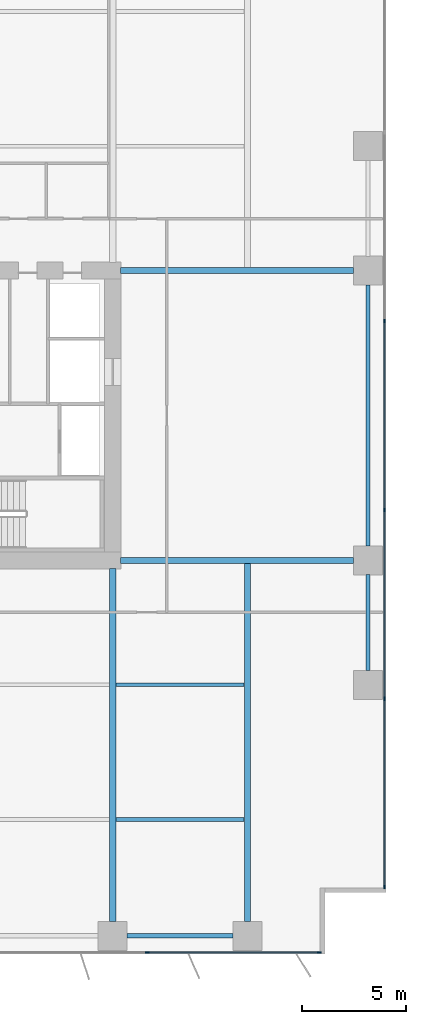
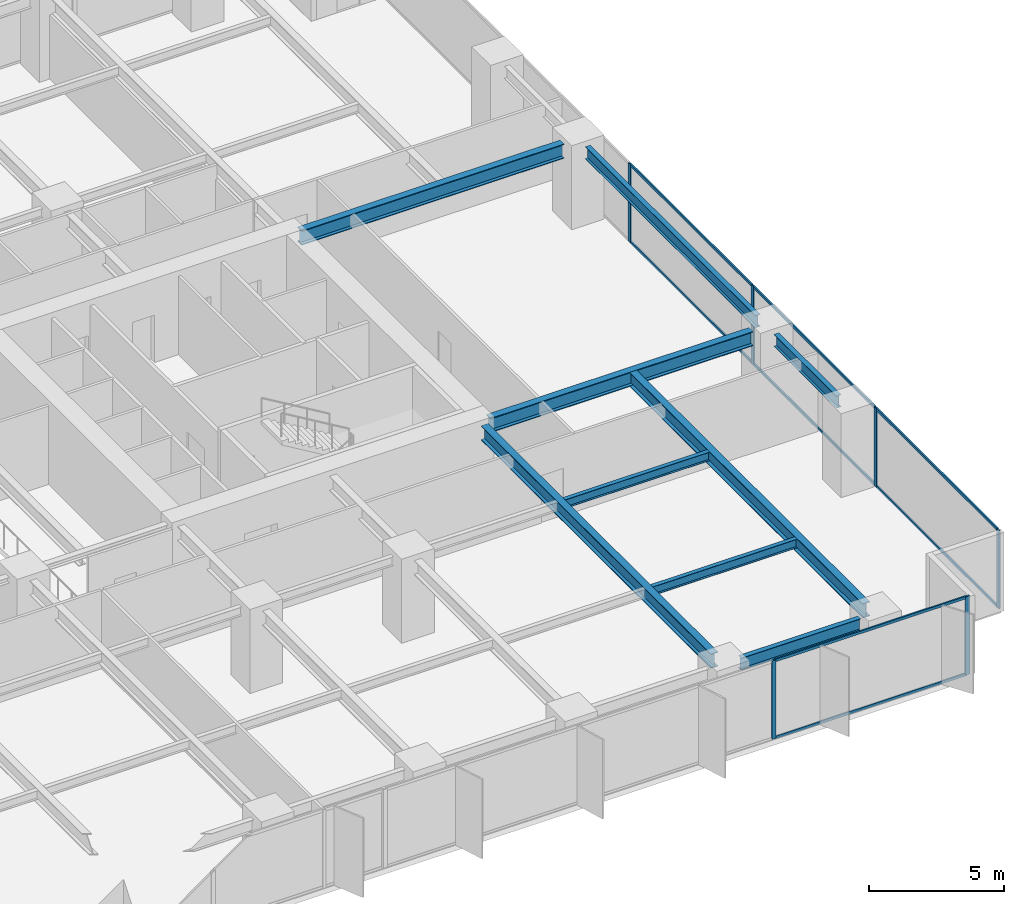
# One storey, part 10 of 20: 14 members, 9 beams, 2 elements without a shape of their own.
"""IFC4 building model written with IfcOpenShell, lengths in metres."""

from ifc_helpers import new_model, si_unit, direction, frame, origin, origin_2d, place, context, subcontext, project, spatial, rectangle, i_section, extrude, material, layer, layer_set, material_profile, profile_set, type_object, element, aggregate, save


model = new_model("IFC4")

# Units and contexts
model_context = context("Model", 3, precision=1e-05, world=origin(), true_north=direction((0.0, 1.0)))
body_context = subcontext(model_context, "Body", "Model", "MODEL_VIEW")
ifc_project = project(units=[si_unit("LENGTHUNIT", "METRE"), si_unit("AREAUNIT", "SQUARE_METRE"), si_unit("VOLUMEUNIT", "CUBIC_METRE"), si_unit("PLANEANGLEUNIT", "RADIAN"), si_unit("MASSUNIT", "GRAM", prefix="KILO")], contexts=[model_context])

# Site, building, storey
site_placement = place(None, origin())
site = spatial("IfcSite", under=ifc_project, at=site_placement, CompositionType="ELEMENT")
building_placement = place(site_placement, origin())
building = spatial("IfcBuilding", under=site, at=building_placement, Name="Putna Gate Headquarters", CompositionType="ELEMENT")
storey_placement = place(building_placement, frame((0.0, 0.0, 58.199951171875)))
storey = spatial("IfcBuildingStorey", under=building, at=storey_placement, Name="L13", CompositionType="ELEMENT", Elevation=58.199951171875)

# Beams
ifc_material_1 = material(Name="Steel S355J2", Category="steel")
ifc_material_profile_1 = material_profile(ifc_material_1, i_section(OverallWidth=0.300048828125, OverallDepth=0.64990234375, WebThickness=0.01611328125, FlangeThickness=0.031005859375, at=origin_2d()), Name="Steel S355J2")
ifc_profile_set_1 = profile_set([ifc_material_profile_1], Name="Steel S355J2")
beam_type_1 = type_object("IfcBeamType", Name="BM-GIRD-Z1-HEB650", PredefinedType="USERDEFINED", material=ifc_profile_set_1)
for number, where, z_axis, x_axis, name in (
    (1, (65.385009765625, 19.0, 3.22509765625), (1.0, 0.0, 0.0), (0.0, 1.0, 0.0), "L13 East Wing Girder Y19"),
    (2, (65.385009765625, 33.0, 3.22509765625), (1.0, 0.0, 0.0), (0.0, 1.0, 0.0), "L13 East Wing Girder Y33"),
):
    element("IfcBeam", number, at=place(storey_placement, frame(where, z_axis=z_axis, x_axis=x_axis)), inside=storey, type_object=beam_type_1, Name=name, ObjectType="GIRDER", PredefinedType="USERDEFINED", context=body_context, shape_type="SweptSolid", body=[
        extrude(i_section(OverallWidth=0.300048828125, OverallDepth=0.64990234375, WebThickness=0.01611328125, FlangeThickness=0.031005859375, at=origin_2d()), origin(), (0.0, 0.0, 1.0), 11.2470703125),
    ])
beam_1_placement = place(storey_placement, frame((65.0, 1.568115234375, 3.22509765625), z_axis=(0.0, 1.0, 0.0), x_axis=(-1.0, 0.0, 0.0)))
element("IfcBeam", 3, at=beam_1_placement, inside=storey, type_object=beam_type_1, Name="L13 South Primary Girder X65", ObjectType="GIRDER", PredefinedType="USERDEFINED", context=body_context, shape_type="SweptSolid", body=[
    extrude(i_section(OverallWidth=0.300048828125, OverallDepth=0.64990234375, WebThickness=0.01611328125, FlangeThickness=0.031005859375, at=origin_2d()), origin(), (0.0, 0.0, 1.0), 17.046875),
])
beam_2_placement = place(storey_placement, frame((71.5, 1.568115234375, 3.22509765625), z_axis=(0.0, 1.0, 0.0), x_axis=(-1.0, 0.0, 0.0)))
element("IfcBeam", 4, at=beam_2_placement, inside=storey, type_object=beam_type_1, Name="L13 South Primary Girder X71", ObjectType="GIRDER", PredefinedType="USERDEFINED", context=body_context, shape_type="SweptSolid", body=[
    extrude(i_section(OverallWidth=0.300048828125, OverallDepth=0.64990234375, WebThickness=0.01611328125, FlangeThickness=0.031005859375, at=origin_2d()), origin(), (0.0, 0.0, 1.0), 17.419921875),
])
ifc_material_profile_2 = material_profile(ifc_material_1, i_section(OverallWidth=0.179931640625, OverallDepth=0.39990234375, WebThickness=0.008544921875, FlangeThickness=0.013427734375, at=origin_2d()), Name="Steel S355J2")
ifc_profile_set_2 = profile_set([ifc_material_profile_2], Name="Steel S355J2")
beam_type_2 = type_object("IfcBeamType", Name="BM-SEC-Z1-IPE400", PredefinedType="BEAM", material=ifc_profile_set_2)
for number, where, z_axis, x_axis, name in (
    (5, (65.154052734375, 6.5, 3.35009765625), (1.0, 0.0, 0.0), (0.0, 1.0, 0.0), "L13 South Secondary Beam 10"),
    (6, (65.154052734375, 13.0, 3.35009765625), (1.0, 0.0, 0.0), (0.0, 1.0, 0.0), "L13 South Secondary Beam 10"),
):
    element("IfcBeam", number, at=place(storey_placement, frame(where, z_axis=z_axis, x_axis=x_axis)), inside=storey, type_object=beam_type_2, Name=name, PredefinedType="BEAM", context=body_context, shape_type="SweptSolid", body=[
        extrude(i_section(OverallWidth=0.179931640625, OverallDepth=0.39990234375, WebThickness=0.008544921875, FlangeThickness=0.013427734375, at=origin_2d()), origin(), (0.0, 0.0, 1.0), 6.19189453125),
    ])
ifc_material_profile_3 = material_profile(ifc_material_1, i_section(OverallWidth=0.2099609375, OverallDepth=0.550048828125, WebThickness=0.010986328125, FlangeThickness=0.01708984375, at=origin_2d()), Name="Steel S355J2")
ifc_profile_set_3 = profile_set([ifc_material_profile_3], Name="Steel S355J2")
beam_type_3 = type_object("IfcBeamType", Name="BM-SPAN-Z1-IPE550", PredefinedType="SPANDREL", material=ifc_profile_set_3)
beam_3_placement = place(storey_placement, frame((65.68798828125, 0.8798828125, 3.275146484375), z_axis=(1.0, 0.0, 0.0), x_axis=(0.0, 1.0, 0.0)))
element("IfcBeam", 7, at=beam_3_placement, inside=storey, type_object=beam_type_3, Name="L13 S Perimeter Spandrel 10", PredefinedType="SPANDREL", context=body_context, shape_type="SweptSolid", body=[
    extrude(i_section(OverallWidth=0.2099609375, OverallDepth=0.550048828125, WebThickness=0.010986328125, FlangeThickness=0.01708984375, at=origin_2d()), origin(), (0.0, 0.0, 1.0), 5.1240234375),
])
beam_4_placement = place(storey_placement, frame((77.320068359375, 13.68798828125, 3.275146484375), z_axis=(0.0, 1.0, 0.0), x_axis=(-1.0, 0.0, 0.0)))
element("IfcBeam", 8, at=beam_4_placement, inside=storey, type_object=beam_type_3, Name="L13 E End Spandrel 1", PredefinedType="SPANDREL", context=body_context, shape_type="SweptSolid", body=[
    extrude(i_section(OverallWidth=0.2099609375, OverallDepth=0.550048828125, WebThickness=0.010986328125, FlangeThickness=0.01708984375, at=origin_2d()), origin(), (0.0, 0.0, 1.0), 4.6240234375),
])
beam_5_placement = place(storey_placement, frame((77.320068359375, 19.68798828125, 3.275146484375), z_axis=(0.0, 1.0, 0.0), x_axis=(-1.0, 0.0, 0.0)))
element("IfcBeam", 9, at=beam_5_placement, inside=storey, type_object=beam_type_3, Name="L13 E End Spandrel 2", PredefinedType="SPANDREL", context=body_context, shape_type="SweptSolid", body=[
    extrude(i_section(OverallWidth=0.2099609375, OverallDepth=0.550048828125, WebThickness=0.010986328125, FlangeThickness=0.01708984375, at=origin_2d()), origin(), (0.0, 0.0, 1.0), 12.6240234375),
])

# Curtain wall, members
ifc_material_2 = material(Name="Anodised bronze aluminium curtain wall", Category="aluminium")
ifc_layer = layer(ifc_material_2, 0.179931640625)
ifc_layer_set = layer_set([ifc_layer], Name="Anodised bronze aluminium curtain wall")
curtain_wall_type = type_object("IfcCurtainWallType", Name="CW-SYS-Z1", PredefinedType="USERDEFINED", material=ifc_layer_set)
curtain_wall_1_placement = place(storey_placement, origin())
curtain_wall_1 = element("IfcCurtainWall", 10, at=curtain_wall_1_placement, inside=storey, type_object=curtain_wall_type, Name="L13 South East Curtain Wall", ObjectType="STICK CURTAIN WALL", PredefinedType="USERDEFINED")
ifc_material_3 = material(Name="Anodised bronze aluminium EN AW-6060", Category="aluminium")
ifc_material_profile_4 = material_profile(ifc_material_3, rectangle(XDim=0.070068359375, YDim=0.179931640625, at=origin_2d()), Name="Anodised bronze aluminium EN AW-6060")
ifc_profile_set_4 = profile_set([ifc_material_profile_4], Name="Anodised bronze aluminium EN AW-6060")
member_type_1 = type_object("IfcMemberType", Name="MULL-CWM-1", PredefinedType="MULLION", material=ifc_profile_set_4)
member_1_placement = place(storey_placement, frame((66.666748046875, 0.080078125, 0.0), z_axis=(0.0, 0.0, 1.0), x_axis=(0.0, 1.0, 0.0)))
member_1 = element("IfcMember", 11, at=member_1_placement, type_object=member_type_1, Name="CWS-1 mullion 3", PredefinedType="MULLION", context=body_context, shape_type="SweptSolid", body=[
    extrude(rectangle(XDim=0.070068359375, YDim=0.179931640625, at=origin_2d()), origin(), (0.0, 0.0, 1.0), 3.550048828125),
])
member_2_placement = place(storey_placement, frame((74.965087890625, 0.080078125, 0.0), z_axis=(0.0, 0.0, 1.0), x_axis=(0.0, 1.0, 0.0)))
member_2 = element("IfcMember", 12, at=member_2_placement, type_object=member_type_1, Name="CWS-1 mullion 4", PredefinedType="MULLION", context=body_context, shape_type="SweptSolid", body=[
    extrude(rectangle(XDim=0.070068359375, YDim=0.179931640625, at=origin_2d()), origin(), (0.0, 0.0, 1.0), 3.550048828125),
])

curtain_wall_2_placement = place(storey_placement, origin())
curtain_wall_2 = element("IfcCurtainWall", 13, at=curtain_wall_2_placement, inside=storey, type_object=curtain_wall_type, Name="L13 East Curtain Wall", ObjectType="STICK CURTAIN WALL", PredefinedType="USERDEFINED")
member_3_placement = place(storey_placement, frame((78.1201171875, 3.235107421875, 0.0), z_axis=(0.0, 0.0, 1.0), x_axis=(-1.0, 0.0, 0.0)))
member_3 = element("IfcMember", 14, at=member_3_placement, type_object=member_type_1, Name="CWS-1 mullion 1", PredefinedType="MULLION", context=body_context, shape_type="SweptSolid", body=[
    extrude(rectangle(XDim=0.070068359375, YDim=0.179931640625, at=origin_2d()), origin(), (0.0, 0.0, 1.0), 3.550048828125),
])
member_4_placement = place(storey_placement, frame((78.1201171875, 12.320068359375, 0.0), z_axis=(0.0, 0.0, 1.0), x_axis=(-1.0, 0.0, 0.0)))
member_4 = element("IfcMember", 15, at=member_4_placement, type_object=member_type_1, Name="CWS-1 mullion 2", PredefinedType="MULLION", context=body_context, shape_type="SweptSolid", body=[
    extrude(rectangle(XDim=0.070068359375, YDim=0.179931640625, at=origin_2d()), origin(), (0.0, 0.0, 1.0), 3.550048828125),
])
member_5_placement = place(storey_placement, frame((78.1201171875, 21.43994140625, 0.0), z_axis=(0.0, 0.0, 1.0), x_axis=(-1.0, 0.0, 0.0)))
member_5 = element("IfcMember", 16, at=member_5_placement, type_object=member_type_1, Name="CWS-1 mullion 3", PredefinedType="MULLION", context=body_context, shape_type="SweptSolid", body=[
    extrude(rectangle(XDim=0.070068359375, YDim=0.179931640625, at=origin_2d()), origin(), (0.0, 0.0, 1.0), 3.550048828125),
])
member_6_placement = place(storey_placement, frame((78.1201171875, 30.56005859375, 0.0), z_axis=(0.0, 0.0, 1.0), x_axis=(-1.0, 0.0, 0.0)))
member_6 = element("IfcMember", 17, at=member_6_placement, type_object=member_type_1, Name="CWS-1 mullion 4", PredefinedType="MULLION", context=body_context, shape_type="SweptSolid", body=[
    extrude(rectangle(XDim=0.070068359375, YDim=0.179931640625, at=origin_2d()), origin(), (0.0, 0.0, 1.0), 3.550048828125),
])

# Member
ifc_material_profile_5 = material_profile(ifc_material_3, rectangle(XDim=0.06494140625, YDim=0.1201171875, at=origin_2d()), Name="Anodised bronze aluminium EN AW-6060")
ifc_profile_set_5 = profile_set([ifc_material_profile_5], Name="Anodised bronze aluminium EN AW-6060")
member_type_2 = type_object("IfcMemberType", Name="TRAN-CWT-1", PredefinedType="USERDEFINED", material=ifc_profile_set_5)
member_7_placement = place(storey_placement, frame((66.70166015625, 0.080078125, 0.032470703125), z_axis=(1.0, 0.0, 0.0), x_axis=(0.0, 1.0, 0.0)))
member_7 = element("IfcMember", 18, at=member_7_placement, type_object=member_type_2, Name="CWS-1 transom 3.1", ObjectType="TRANSOM", PredefinedType="USERDEFINED", context=body_context, shape_type="SweptSolid", body=[
    extrude(rectangle(XDim=0.06494140625, YDim=0.1201171875, at=origin_2d()), origin(), (0.0, 0.0, 1.0), 8.228271484375),
])

member_8_placement = place(storey_placement, frame((66.70166015625, 0.080078125, 3.517578125), z_axis=(1.0, 0.0, 0.0), x_axis=(0.0, 1.0, 0.0)))
member_8 = element("IfcMember", 19, at=member_8_placement, type_object=member_type_2, Name="CWS-1 transom 3.2", ObjectType="TRANSOM", PredefinedType="USERDEFINED", context=body_context, shape_type="SweptSolid", body=[
    extrude(rectangle(XDim=0.06494140625, YDim=0.1201171875, at=origin_2d()), origin(), (0.0, 0.0, 1.0), 8.228271484375),
])

aggregate(curtain_wall_1, [member_1, member_2, member_7, member_8])

member_9_placement = place(storey_placement, frame((78.1201171875, 3.27001953125, 0.032470703125), z_axis=(0.0, 1.0, 0.0), x_axis=(-1.0, 0.0, 0.0)))
member_9 = element("IfcMember", 20, at=member_9_placement, type_object=member_type_2, Name="CWS-1 transom 1.1", ObjectType="TRANSOM", PredefinedType="USERDEFINED", context=body_context, shape_type="SweptSolid", body=[
    extrude(rectangle(XDim=0.06494140625, YDim=0.1201171875, at=origin_2d()), origin(), (0.0, 0.0, 1.0), 9.014892578125),
])

member_10_placement = place(storey_placement, frame((78.1201171875, 3.27001953125, 3.517578125), z_axis=(0.0, 1.0, 0.0), x_axis=(-1.0, 0.0, 0.0)))
member_10 = element("IfcMember", 21, at=member_10_placement, type_object=member_type_2, Name="CWS-1 transom 1.2", ObjectType="TRANSOM", PredefinedType="USERDEFINED", context=body_context, shape_type="SweptSolid", body=[
    extrude(rectangle(XDim=0.06494140625, YDim=0.1201171875, at=origin_2d()), origin(), (0.0, 0.0, 1.0), 9.014892578125),
])

member_11_placement = place(storey_placement, frame((78.1201171875, 12.35498046875, 0.032470703125), z_axis=(0.0, 1.0, 0.0), x_axis=(-1.0, 0.0, 0.0)))
member_11 = element("IfcMember", 22, at=member_11_placement, type_object=member_type_2, Name="CWS-1 transom 2.1", ObjectType="TRANSOM", PredefinedType="USERDEFINED", context=body_context, shape_type="SweptSolid", body=[
    extrude(rectangle(XDim=0.06494140625, YDim=0.1201171875, at=origin_2d()), origin(), (0.0, 0.0, 1.0), 9.050048828125),
])

member_12_placement = place(storey_placement, frame((78.1201171875, 12.35498046875, 3.517578125), z_axis=(0.0, 1.0, 0.0), x_axis=(-1.0, 0.0, 0.0)))
member_12 = element("IfcMember", 23, at=member_12_placement, type_object=member_type_2, Name="CWS-1 transom 2.2", ObjectType="TRANSOM", PredefinedType="USERDEFINED", context=body_context, shape_type="SweptSolid", body=[
    extrude(rectangle(XDim=0.06494140625, YDim=0.1201171875, at=origin_2d()), origin(), (0.0, 0.0, 1.0), 9.050048828125),
])

member_13_placement = place(storey_placement, frame((78.1201171875, 21.47509765625, 0.032470703125), z_axis=(0.0, 1.0, 0.0), x_axis=(-1.0, 0.0, 0.0)))
member_13 = element("IfcMember", 24, at=member_13_placement, type_object=member_type_2, Name="CWS-1 transom 3.1", ObjectType="TRANSOM", PredefinedType="USERDEFINED", context=body_context, shape_type="SweptSolid", body=[
    extrude(rectangle(XDim=0.06494140625, YDim=0.1201171875, at=origin_2d()), origin(), (0.0, 0.0, 1.0), 9.0498046875),
])

member_14_placement = place(storey_placement, frame((78.1201171875, 21.47509765625, 3.517578125), z_axis=(0.0, 1.0, 0.0), x_axis=(-1.0, 0.0, 0.0)))
member_14 = element("IfcMember", 25, at=member_14_placement, type_object=member_type_2, Name="CWS-1 transom 3.2", ObjectType="TRANSOM", PredefinedType="USERDEFINED", context=body_context, shape_type="SweptSolid", body=[
    extrude(rectangle(XDim=0.06494140625, YDim=0.1201171875, at=origin_2d()), origin(), (0.0, 0.0, 1.0), 9.0498046875),
])

aggregate(curtain_wall_2, [member_3, member_4, member_5, member_6, member_9, member_10, member_11, member_12, member_13, member_14])

save(model, "model.ifc")
